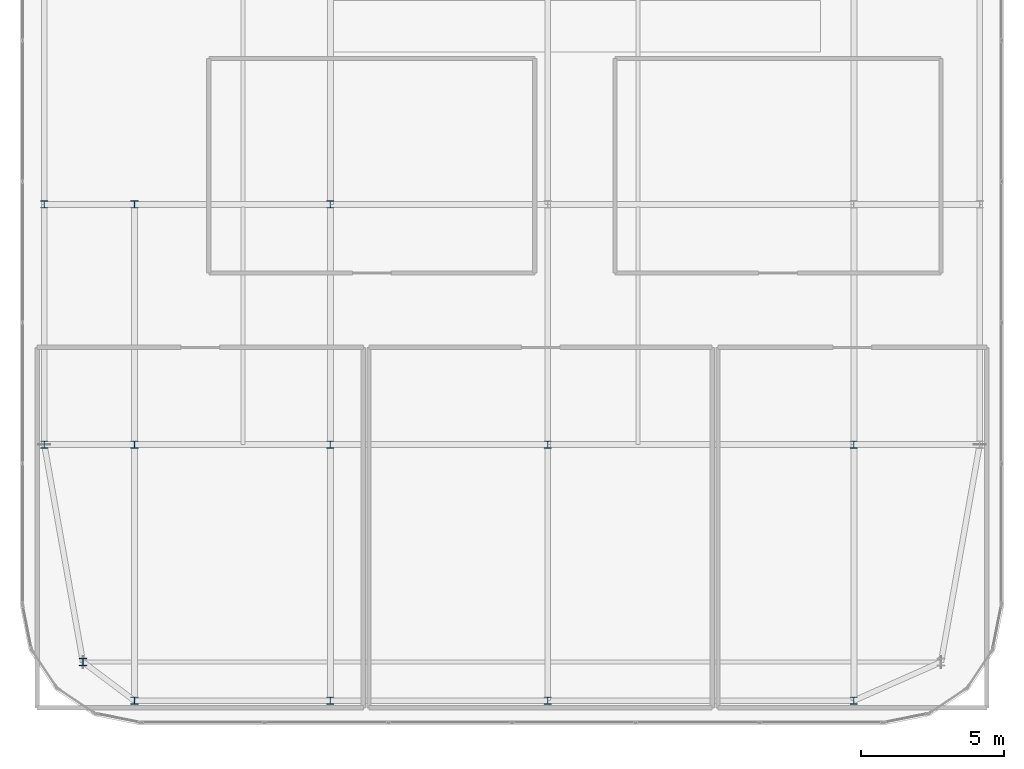
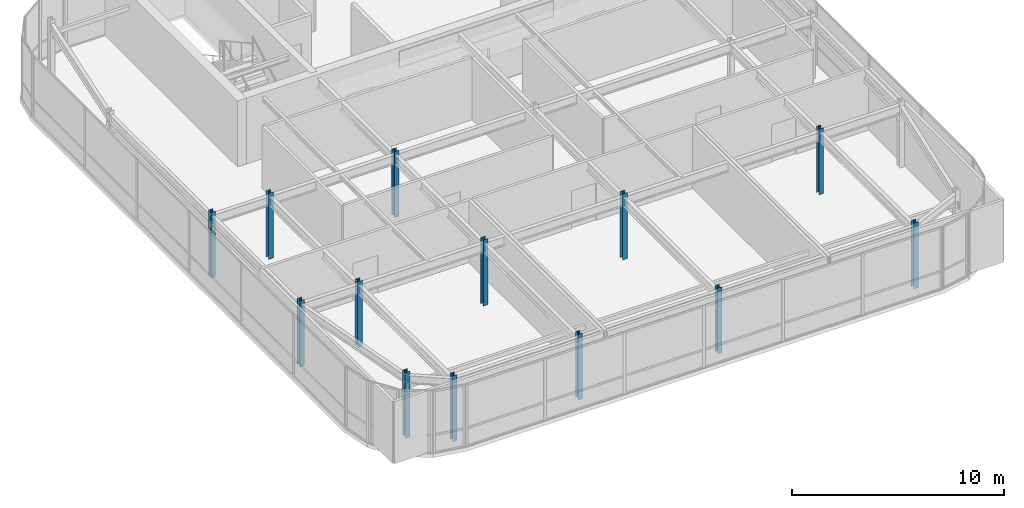
# One storey, part 1 of 36: 13 columns.
"""IFC4 building model written with IfcOpenShell, lengths in metres."""

import ifcopenshell
import ifcopenshell.guid

model = None  # the IFC model being written
_history = None  # IfcOwnerHistory: only IFC2X3 demands one
_inside = {}  # id of a spatial element -> (the spatial element, [elements in it])
_under = {}  # id of a project, library or spatial element -> (it, [spatial elements below it])
_declared = {}  # id of a project -> (the project, [libraries it declares])
_typed = {}  # id of a type object -> (the type object, [elements of that type])
_made_of = {}  # id of a material, layer set ... -> (it, [elements and type objects made of it])


def new_model(schema):
    """Start an empty IFC model of exactly this schema.

    Asked for "IFC4X3", IfcOpenShell would pick the latest addendum, in which some entities
    have other attributes; the version numbers below select the first issue.
    IFC2X3 requires an IfcOwnerHistory on every rooted entity: one is made here for all.
    """
    global model, _history
    if schema == "IFC4X3":
        model = ifcopenshell.file(schema_version=(4, 3, 0, 0))
    else:
        model = ifcopenshell.file(schema=schema)
    _inside.clear()
    _under.clear()
    _declared.clear()
    _typed.clear()
    _made_of.clear()
    _history = None
    if model.schema == "IFC2X3":
        org = make("IfcOrganization", Name="unknown")
        user = make(
            "IfcPersonAndOrganization",
            ThePerson=make("IfcPerson", FamilyName="unknown"),
            TheOrganization=org,
        )
        app = make(
            "IfcApplication",
            ApplicationDeveloper=org,
            Version="unknown",
            ApplicationFullName="unknown",
            ApplicationIdentifier="unknown",
        )
        _history = make(
            "IfcOwnerHistory",
            OwningUser=user,
            OwningApplication=app,
            ChangeAction="ADDED",
            CreationDate=0,
        )
    return model


def make(cls, **values):
    """One entity of the class cls with the attributes given. An attribute that is None is left unset."""
    return model.create_entity(
        cls, **{name: value for name, value in values.items() if value is not None}
    )


def rooted(cls, **values):
    """An entity with a GlobalId (a new one), such as an element, a storey or a relation."""
    return make(cls, GlobalId=ifcopenshell.guid.new(), OwnerHistory=_history, **values)


def si_unit(unit_type, name, prefix=None):
    """IfcSIUnit, for example si_unit("LENGTHUNIT", "METRE", prefix="MILLI")."""
    return make("IfcSIUnit", UnitType=unit_type, Prefix=prefix, Name=name)


def assignment(units):
    """IfcUnitAssignment: the units of a project."""
    return None if units is None else make("IfcUnitAssignment", Units=units)


def point(xyz):
    """IfcCartesianPoint."""
    return None if xyz is None else make("IfcCartesianPoint", Coordinates=xyz)


def direction(xyz):
    """IfcDirection."""
    return None if xyz is None else make("IfcDirection", DirectionRatios=xyz)


def frame(location, z_axis=None, x_axis=None):
    """IfcAxis2Placement3D, a coordinate frame: its origin and axes. An axis left out is left unset."""
    return make(
        "IfcAxis2Placement3D",
        Location=point(location),
        Axis=direction(z_axis),
        RefDirection=direction(x_axis),
    )


def frame_2d(location, x_axis=None):
    """IfcAxis2Placement2D, a coordinate frame in the plane: its origin and x axis."""
    return make(
        "IfcAxis2Placement2D", Location=point(location), RefDirection=direction(x_axis)
    )


def origin():
    """The frame at (0, 0, 0) with its axes left unset."""
    return frame((0.0, 0.0, 0.0))


def origin_2d():
    """The frame at (0, 0) in the plane with its x axis left unset."""
    return frame_2d((0.0, 0.0))


def place(relative_to, where):
    """IfcLocalPlacement: puts the frame where relative to a parent placement (None: the world)."""
    return make(
        "IfcLocalPlacement", PlacementRelTo=relative_to, RelativePlacement=where
    )


def context(
    kind, dimensions, precision=None, world=None, true_north=None, identifier=None
):
    """IfcGeometricRepresentationContext, for example the 3D "Model" context."""
    return make(
        "IfcGeometricRepresentationContext",
        ContextIdentifier=identifier,
        ContextType=kind,
        CoordinateSpaceDimension=dimensions,
        Precision=precision,
        WorldCoordinateSystem=world,
        TrueNorth=true_north,
    )


def subcontext(parent, identifier, kind, view, scale=None):
    """IfcGeometricRepresentationSubContext, for example "Body" below "Model"."""
    return make(
        "IfcGeometricRepresentationSubContext",
        ContextIdentifier=identifier,
        ContextType=kind,
        ParentContext=parent,
        TargetScale=scale,
        TargetView=view,
    )


def project(units=None, contexts=None):
    """IfcProject with its units and contexts."""
    return rooted(
        "IfcProject",
        Name="project",
        RepresentationContexts=contexts,
        UnitsInContext=assignment(units),
    )


def spatial(cls, under=None, at=None, **own):
    """A site, building, storey or space (cls), placed at a placement, below another one or the project."""
    s = rooted(cls, ObjectPlacement=at, **own)
    if under is not None:
        _under.setdefault(under.id(), (under, []))[1].append(s)
    return s


def profile(cls, at=None, kind="AREA", **sizes):
    """A parametric profile (cls). Its sizes go by their IFC names, for example OverallWidth=200.0."""
    return make(cls, ProfileType=kind, Position=at, **sizes)


def i_section(**sizes):
    """IfcIShapeProfileDef."""
    return profile("IfcIShapeProfileDef", **sizes)


def extrude(swept, where, along, depth):
    """IfcExtrudedAreaSolid: the profile swept, set in the frame where, extruded along a direction by depth."""
    return make(
        "IfcExtrudedAreaSolid",
        SweptArea=swept,
        Position=where,
        ExtrudedDirection=direction(along),
        Depth=depth,
    )


def shape(context_of_items, identifier, shape_type, items):
    """IfcShapeRepresentation: the items that make up one representation, for example the "Body"."""
    return make(
        "IfcShapeRepresentation",
        ContextOfItems=context_of_items,
        RepresentationIdentifier=identifier,
        RepresentationType=shape_type,
        Items=items,
    )


def source(mapping_origin, context_of_items, identifier, shape_type, items):
    """IfcRepresentationMap: a shape defined once, which mapped items show again and again."""
    return make(
        "IfcRepresentationMap",
        MappingOrigin=mapping_origin,
        MappedRepresentation=shape(context_of_items, identifier, shape_type, items),
    )


def transform(
    local_origin,
    x_axis=None,
    y_axis=None,
    z_axis=None,
    scale=None,
    scale2=None,
    scale3=None,
    uniform=True,
):
    """IfcCartesianTransformationOperator3D, or its non-uniform kind. x_axis, y_axis, z_axis: its Axis1, 2, 3."""
    if uniform:
        return make(
            "IfcCartesianTransformationOperator3D",
            Axis1=direction(x_axis),
            Axis2=direction(y_axis),
            LocalOrigin=point(local_origin),
            Scale=scale,
            Axis3=direction(z_axis),
        )
    return make(
        "IfcCartesianTransformationOperator3DnonUniform",
        Axis1=direction(x_axis),
        Axis2=direction(y_axis),
        LocalOrigin=point(local_origin),
        Scale=scale,
        Axis3=direction(z_axis),
        Scale2=scale2,
        Scale3=scale3,
    )


def mapped(mapping_source, mapping_target):
    """IfcMappedItem: shows the shape of a source again, moved by a transform."""
    return make(
        "IfcMappedItem", MappingSource=mapping_source, MappingTarget=mapping_target
    )


def material(Name=None, Category=None):
    """IfcMaterial."""
    return make("IfcMaterial", Name=Name, Category=Category)


def material_profile(
    of_material, cross_section, Name=None, Category=None, Priority=None
):
    """IfcMaterialProfile: a cross section and its material."""
    return make(
        "IfcMaterialProfile",
        Name=Name,
        Material=of_material,
        Profile=cross_section,
        Priority=Priority,
        Category=Category,
    )


def profile_set(profiles, Name=None, composite=None):
    """IfcMaterialProfileSet."""
    return make(
        "IfcMaterialProfileSet",
        Name=Name,
        MaterialProfiles=profiles,
        CompositeProfile=composite,
    )


def made_of(thing, what):
    """Note that an element or type object is made of a material, layer set ...; save() writes the relation."""
    if what is not None:
        _made_of.setdefault(what.id(), (what, []))[1].append(thing)
    return thing


def type_object(cls, material=None, **own):
    """A type object (cls), such as IfcWallType, which elements share."""
    return made_of(rooted(cls, **own), material)


def type_shapes(of_type, sources):
    """Give a type object the sources (RepresentationMaps) that its elements show as mapped items."""
    of_type.RepresentationMaps = sources


def element(
    cls,
    number,
    at=None,
    inside=None,
    cuts=None,
    type_object=None,
    material=None,
    context=None,
    identifier="Body",
    shape_type=None,
    held_by="IfcProductDefinitionShape",
    body=None,
    shapes=None,
    **own,
):
    """One element of the class cls, such as IfcWall. Its Tag is "e" and its number.

    at: its placement. inside: the storey or other place that contains it. cuts: it is an
    opening in that element (IfcRelVoidsElement). A single representation is given by context,
    identifier, shape_type and body (its items); several are given by shapes. held_by: the class
    of the entity that holds the representations. save() writes the other relations.
    """
    e = rooted(cls, Tag="e%d" % number, ObjectPlacement=at, **own)
    if body is not None:
        shapes = [shape(context, identifier, shape_type, body)]
    if shapes is not None:
        e.Representation = make(held_by, Representations=shapes)
    if inside is not None:
        _inside.setdefault(inside.id(), (inside, []))[1].append(e)
    if cuts is not None:
        rooted(
            "IfcRelVoidsElement", RelatingBuildingElement=cuts, RelatedOpeningElement=e
        )
    if type_object is not None:
        _typed.setdefault(type_object.id(), (type_object, []))[1].append(e)
    return made_of(e, material)


def aggregate(whole, parts):
    """IfcRelAggregates: a whole, such as a stair, and the parts it consists of."""
    return rooted("IfcRelAggregates", RelatingObject=whole, RelatedObjects=parts)


def save(model, path):
    """Write the relations noted so far, then the file.

    IfcRelAggregates (storeys below a building ...), IfcRelContainedInSpatialStructure (elements
    in a storey), IfcRelDefinesByType, IfcRelAssociatesMaterial and IfcRelDeclares: one each for
    every whole, place, type object, material and project.
    """
    for whole, parts in _under.values():
        aggregate(whole, parts)
    for where, things in _inside.values():
        rooted(
            "IfcRelContainedInSpatialStructure",
            RelatedElements=things,
            RelatingStructure=where,
        )
    for kind, things in _typed.values():
        rooted("IfcRelDefinesByType", RelatedObjects=things, RelatingType=kind)
    for what, things in _made_of.values():
        rooted("IfcRelAssociatesMaterial", RelatedObjects=things, RelatingMaterial=what)
    for by, libraries in _declared.values():
        rooted("IfcRelDeclares", RelatingContext=by, RelatedDefinitions=libraries)
    model.write(path)


model = new_model("IFC4")

# Units and contexts
model_context = context("Model", 3, precision=1e-05, world=origin(), true_north=direction((0.0, 1.0)))
body_context = subcontext(model_context, "Body", "Model", "MODEL_VIEW")
ifc_project = project(units=[si_unit("LENGTHUNIT", "METRE"), si_unit("AREAUNIT", "SQUARE_METRE"), si_unit("VOLUMEUNIT", "CUBIC_METRE"), si_unit("PLANEANGLEUNIT", "RADIAN"), si_unit("MASSUNIT", "GRAM", prefix="KILO")], contexts=[model_context])

# Site, building, storey
site_placement = place(None, origin())
site = spatial("IfcSite", under=ifc_project, at=site_placement, CompositionType="ELEMENT")
building_placement = place(site_placement, origin())
building = spatial("IfcBuilding", under=site, at=building_placement, Name="Tolvann Quenvar Hotel", CompositionType="ELEMENT")
storey_placement = place(building_placement, frame((0.0, 0.0, 306.14990234375)))
storey = spatial("IfcBuildingStorey", under=building, at=storey_placement, Name="L81", CompositionType="ELEMENT", Elevation=306.14990234375)

# Columns
ifc_material = material(Name="Steel Grade 350", Category="steel")
ifc_material_profile = material_profile(ifc_material, i_section(OverallWidth=0.25390625, OverallDepth=0.25390625, WebThickness=0.008544921875, FlangeThickness=0.01416015625, FilletRadius=0.013916015625, at=origin_2d()), Name="250UC73")
ifc_profile_set = profile_set([ifc_material_profile], Name="Steel Grade 350")
column_type = type_object("IfcColumnType", Name="COL_250UC73", PredefinedType="COLUMN", material=ifc_profile_set)
shared_shape = source(origin(), body_context, "Body", "SweptSolid", [
    extrude(i_section(OverallWidth=0.25390625, OverallDepth=0.25390625, WebThickness=0.008544921875, FlangeThickness=0.01416015625, FilletRadius=0.013916015625, at=origin_2d()), origin(), (0.0, 0.0, 1.0), 3.800048828125),
])
type_shapes(column_type, [shared_shape])
for number, where, z_axis, x_axis, name in (
    (1, (5.800048828125, 8.39990234375, 0.0), (0.0, 0.0, 1.0), (1.0, 0.0, 0.0), "Column B2 (L81)"),
    (2, (4.449951171875, 16.0, 0.0), (0.0, 0.0, 1.0), (1.0, 0.0, 0.0), "Column B4 (L81)"),
    (3, (4.449951171875, 24.39990234375, 0.0), (0.0, 0.0, 1.0), (1.0, 0.0, 0.0), "Column B5 (L81)"),
    (4, (7.60009765625, 7.050048828125, 0.0), (0.0, 0.0, 1.0), (1.0, 0.0, 0.0), "Column C2 (L81)"),
    (5, (7.60009765625, 16.0, 0.0), (0.0, 0.0, 1.0), (1.0, 0.0, 0.0), "Column C4 (L81)"),
    (6, (7.60009765625, 24.39990234375, 0.0), (0.0, 0.0, 1.0), (1.0, 0.0, 0.0), "Column C5 (L81)"),
    (7, (14.449951171875, 7.050048828125, 0.0), (0.0, 0.0, 1.0), (1.0, 0.0, 0.0), "Column D2 (L81)"),
    (8, (14.449951171875, 16.0, 0.0), (0.0, 0.0, 1.0), (1.0, 0.0, 0.0), "Column D4 (L81)"),
    (9, (14.449951171875, 24.39990234375, 0.0), (0.0, 0.0, 1.0), (1.0, 0.0, 0.0), "Column D5 (L81)"),
    (10, (22.050048828125, 7.050048828125, 0.0), (0.0, 0.0, 1.0), (1.0, 0.0, 0.0), "Column E2 (L81)"),
    (11, (22.050048828125, 16.0, 0.0), (0.0, 0.0, 1.0), (1.0, 0.0, 0.0), "Column E4 (L81)"),
    (12, (32.75, 7.050048828125, 0.0), (0.0, 0.0, 1.0), (1.0, 0.0, 0.0), "Column FP2 (L81)"),
    (13, (32.75, 16.0, 0.0), (0.0, 0.0, 1.0), (1.0, 0.0, 0.0), "Column FP4 (L81)"),
):
    element("IfcColumn", number, at=place(storey_placement, frame(where, z_axis=z_axis, x_axis=x_axis)), inside=storey, type_object=column_type, Name=name, PredefinedType="COLUMN", context=body_context, shape_type="MappedRepresentation", body=[
        mapped(shared_shape, transform((0.0, 0.0, 0.0), x_axis=(1.0, 0.0, 0.0), y_axis=(0.0, 1.0, 0.0), z_axis=(0.0, 0.0, 1.0), scale=1.0)),
    ])

save(model, "model.ifc")
